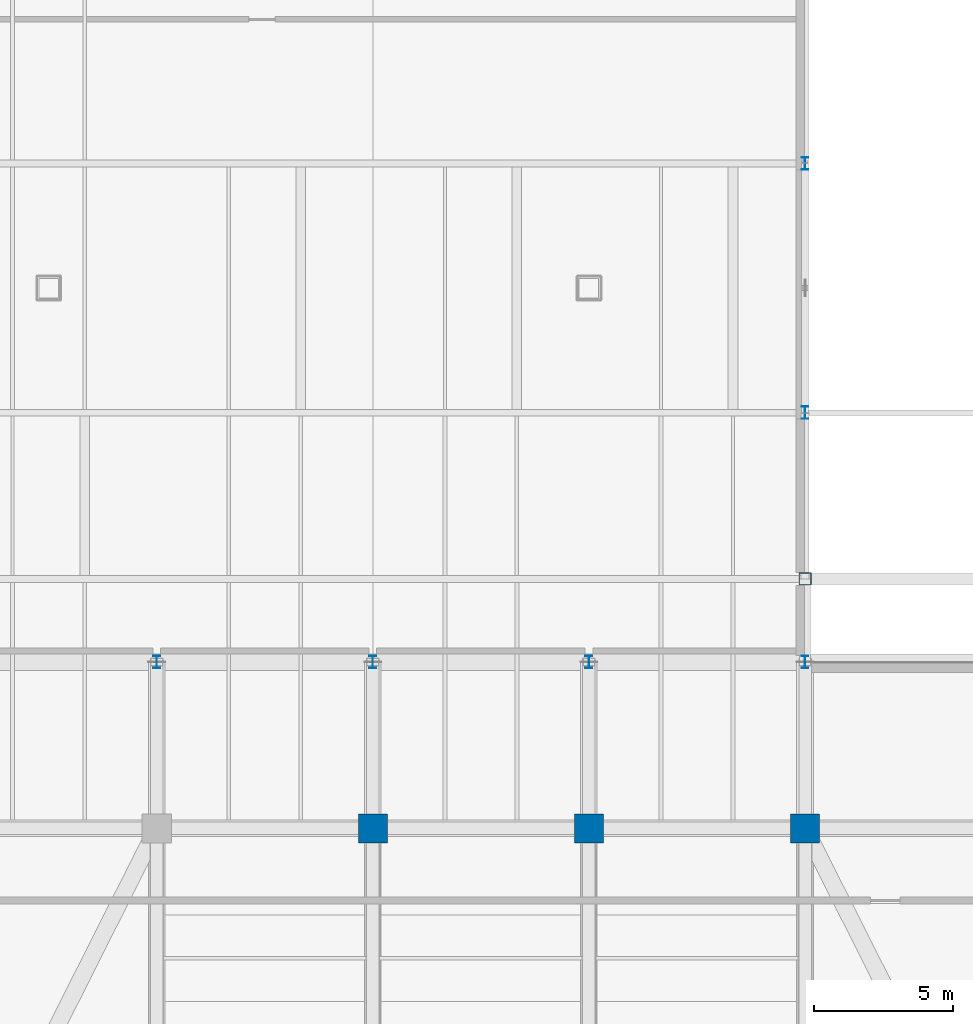
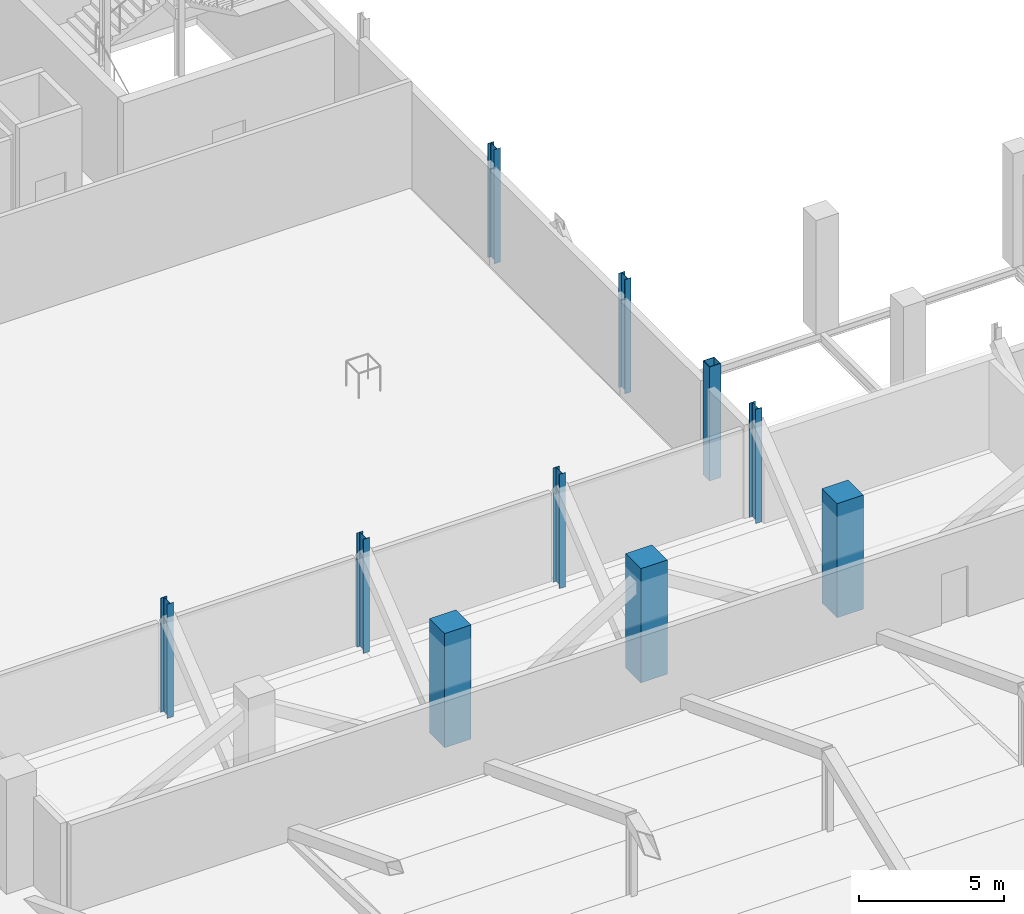
# One storey, part 7 of 127: 10 columns.
"""IFC4 building model written with IfcOpenShell, lengths in metres."""

import ifcopenshell
import ifcopenshell.guid

model = None  # the IFC model being written
_history = None  # IfcOwnerHistory: only IFC2X3 demands one
_inside = {}  # id of a spatial element -> (the spatial element, [elements in it])
_under = {}  # id of a project, library or spatial element -> (it, [spatial elements below it])
_declared = {}  # id of a project -> (the project, [libraries it declares])
_typed = {}  # id of a type object -> (the type object, [elements of that type])
_made_of = {}  # id of a material, layer set ... -> (it, [elements and type objects made of it])


def new_model(schema):
    """Start an empty IFC model of exactly this schema.

    Asked for "IFC4X3", IfcOpenShell would pick the latest addendum, in which some entities
    have other attributes; the version numbers below select the first issue.
    IFC2X3 requires an IfcOwnerHistory on every rooted entity: one is made here for all.
    """
    global model, _history
    if schema == "IFC4X3":
        model = ifcopenshell.file(schema_version=(4, 3, 0, 0))
    else:
        model = ifcopenshell.file(schema=schema)
    _inside.clear()
    _under.clear()
    _declared.clear()
    _typed.clear()
    _made_of.clear()
    _history = None
    if model.schema == "IFC2X3":
        org = make("IfcOrganization", Name="unknown")
        user = make(
            "IfcPersonAndOrganization",
            ThePerson=make("IfcPerson", FamilyName="unknown"),
            TheOrganization=org,
        )
        app = make(
            "IfcApplication",
            ApplicationDeveloper=org,
            Version="unknown",
            ApplicationFullName="unknown",
            ApplicationIdentifier="unknown",
        )
        _history = make(
            "IfcOwnerHistory",
            OwningUser=user,
            OwningApplication=app,
            ChangeAction="ADDED",
            CreationDate=0,
        )
    return model


def make(cls, **values):
    """One entity of the class cls with the attributes given. An attribute that is None is left unset."""
    return model.create_entity(
        cls, **{name: value for name, value in values.items() if value is not None}
    )


def rooted(cls, **values):
    """An entity with a GlobalId (a new one), such as an element, a storey or a relation."""
    return make(cls, GlobalId=ifcopenshell.guid.new(), OwnerHistory=_history, **values)


def si_unit(unit_type, name, prefix=None):
    """IfcSIUnit, for example si_unit("LENGTHUNIT", "METRE", prefix="MILLI")."""
    return make("IfcSIUnit", UnitType=unit_type, Prefix=prefix, Name=name)


def derived_unit(unit_type, elements):
    """IfcDerivedUnit: a product of units, each with its exponent."""
    return make(
        "IfcDerivedUnit",
        Elements=[
            make("IfcDerivedUnitElement", Unit=unit, Exponent=power)
            for unit, power in elements
        ],
        UnitType=unit_type,
    )


def assignment(units):
    """IfcUnitAssignment: the units of a project."""
    return None if units is None else make("IfcUnitAssignment", Units=units)


def point(xyz):
    """IfcCartesianPoint."""
    return None if xyz is None else make("IfcCartesianPoint", Coordinates=xyz)


def direction(xyz):
    """IfcDirection."""
    return None if xyz is None else make("IfcDirection", DirectionRatios=xyz)


def frame(location, z_axis=None, x_axis=None):
    """IfcAxis2Placement3D, a coordinate frame: its origin and axes. An axis left out is left unset."""
    return make(
        "IfcAxis2Placement3D",
        Location=point(location),
        Axis=direction(z_axis),
        RefDirection=direction(x_axis),
    )


def frame_2d(location, x_axis=None):
    """IfcAxis2Placement2D, a coordinate frame in the plane: its origin and x axis."""
    return make(
        "IfcAxis2Placement2D", Location=point(location), RefDirection=direction(x_axis)
    )


def origin():
    """The frame at (0, 0, 0) with its axes left unset."""
    return frame((0.0, 0.0, 0.0))


def origin_2d():
    """The frame at (0, 0) in the plane with its x axis left unset."""
    return frame_2d((0.0, 0.0))


def place(relative_to, where):
    """IfcLocalPlacement: puts the frame where relative to a parent placement (None: the world)."""
    return make(
        "IfcLocalPlacement", PlacementRelTo=relative_to, RelativePlacement=where
    )


def context(
    kind, dimensions, precision=None, world=None, true_north=None, identifier=None
):
    """IfcGeometricRepresentationContext, for example the 3D "Model" context."""
    return make(
        "IfcGeometricRepresentationContext",
        ContextIdentifier=identifier,
        ContextType=kind,
        CoordinateSpaceDimension=dimensions,
        Precision=precision,
        WorldCoordinateSystem=world,
        TrueNorth=true_north,
    )


def subcontext(parent, identifier, kind, view, scale=None):
    """IfcGeometricRepresentationSubContext, for example "Body" below "Model"."""
    return make(
        "IfcGeometricRepresentationSubContext",
        ContextIdentifier=identifier,
        ContextType=kind,
        ParentContext=parent,
        TargetScale=scale,
        TargetView=view,
    )


def project(units=None, contexts=None):
    """IfcProject with its units and contexts."""
    return rooted(
        "IfcProject",
        Name="project",
        RepresentationContexts=contexts,
        UnitsInContext=assignment(units),
    )


def spatial(cls, under=None, at=None, **own):
    """A site, building, storey or space (cls), placed at a placement, below another one or the project."""
    s = rooted(cls, ObjectPlacement=at, **own)
    if under is not None:
        _under.setdefault(under.id(), (under, []))[1].append(s)
    return s


def profile(cls, at=None, kind="AREA", **sizes):
    """A parametric profile (cls). Its sizes go by their IFC names, for example OverallWidth=200.0."""
    return make(cls, ProfileType=kind, Position=at, **sizes)


def rectangle(**sizes):
    """IfcRectangleProfileDef."""
    return profile("IfcRectangleProfileDef", **sizes)


def hollow_rectangle(**sizes):
    """IfcRectangleHollowProfileDef."""
    return profile("IfcRectangleHollowProfileDef", **sizes)


def i_section(**sizes):
    """IfcIShapeProfileDef."""
    return profile("IfcIShapeProfileDef", **sizes)


def extrude(swept, where, along, depth):
    """IfcExtrudedAreaSolid: the profile swept, set in the frame where, extruded along a direction by depth."""
    return make(
        "IfcExtrudedAreaSolid",
        SweptArea=swept,
        Position=where,
        ExtrudedDirection=direction(along),
        Depth=depth,
    )


def shape(context_of_items, identifier, shape_type, items):
    """IfcShapeRepresentation: the items that make up one representation, for example the "Body"."""
    return make(
        "IfcShapeRepresentation",
        ContextOfItems=context_of_items,
        RepresentationIdentifier=identifier,
        RepresentationType=shape_type,
        Items=items,
    )


def material(Name=None, Category=None):
    """IfcMaterial."""
    return make("IfcMaterial", Name=Name, Category=Category)


def material_profile(
    of_material, cross_section, Name=None, Category=None, Priority=None
):
    """IfcMaterialProfile: a cross section and its material."""
    return make(
        "IfcMaterialProfile",
        Name=Name,
        Material=of_material,
        Profile=cross_section,
        Priority=Priority,
        Category=Category,
    )


def profile_set(profiles, Name=None, composite=None):
    """IfcMaterialProfileSet."""
    return make(
        "IfcMaterialProfileSet",
        Name=Name,
        MaterialProfiles=profiles,
        CompositeProfile=composite,
    )


def made_of(thing, what):
    """Note that an element or type object is made of a material, layer set ...; save() writes the relation."""
    if what is not None:
        _made_of.setdefault(what.id(), (what, []))[1].append(thing)
    return thing


def type_object(cls, material=None, **own):
    """A type object (cls), such as IfcWallType, which elements share."""
    return made_of(rooted(cls, **own), material)


def element(
    cls,
    number,
    at=None,
    inside=None,
    cuts=None,
    type_object=None,
    material=None,
    context=None,
    identifier="Body",
    shape_type=None,
    held_by="IfcProductDefinitionShape",
    body=None,
    shapes=None,
    **own,
):
    """One element of the class cls, such as IfcWall. Its Tag is "e" and its number.

    at: its placement. inside: the storey or other place that contains it. cuts: it is an
    opening in that element (IfcRelVoidsElement). A single representation is given by context,
    identifier, shape_type and body (its items); several are given by shapes. held_by: the class
    of the entity that holds the representations. save() writes the other relations.
    """
    e = rooted(cls, Tag="e%d" % number, ObjectPlacement=at, **own)
    if body is not None:
        shapes = [shape(context, identifier, shape_type, body)]
    if shapes is not None:
        e.Representation = make(held_by, Representations=shapes)
    if inside is not None:
        _inside.setdefault(inside.id(), (inside, []))[1].append(e)
    if cuts is not None:
        rooted(
            "IfcRelVoidsElement", RelatingBuildingElement=cuts, RelatedOpeningElement=e
        )
    if type_object is not None:
        _typed.setdefault(type_object.id(), (type_object, []))[1].append(e)
    return made_of(e, material)


def aggregate(whole, parts):
    """IfcRelAggregates: a whole, such as a stair, and the parts it consists of."""
    return rooted("IfcRelAggregates", RelatingObject=whole, RelatedObjects=parts)


def save(model, path):
    """Write the relations noted so far, then the file.

    IfcRelAggregates (storeys below a building ...), IfcRelContainedInSpatialStructure (elements
    in a storey), IfcRelDefinesByType, IfcRelAssociatesMaterial and IfcRelDeclares: one each for
    every whole, place, type object, material and project.
    """
    for whole, parts in _under.values():
        aggregate(whole, parts)
    for where, things in _inside.values():
        rooted(
            "IfcRelContainedInSpatialStructure",
            RelatedElements=things,
            RelatingStructure=where,
        )
    for kind, things in _typed.values():
        rooted("IfcRelDefinesByType", RelatedObjects=things, RelatingType=kind)
    for what, things in _made_of.values():
        rooted("IfcRelAssociatesMaterial", RelatedObjects=things, RelatingMaterial=what)
    for by, libraries in _declared.values():
        rooted("IfcRelDeclares", RelatingContext=by, RelatedDefinitions=libraries)
    model.write(path)


model = new_model("IFC4")

# Units and contexts
model_context = context("Model", 3, precision=1e-05, world=origin(), true_north=direction((0.0, 1.0)))
body_context = subcontext(model_context, "Body", "Model", "MODEL_VIEW")
ifc_project = project(units=[si_unit("LENGTHUNIT", "METRE"), si_unit("AREAUNIT", "SQUARE_METRE"), si_unit("VOLUMEUNIT", "CUBIC_METRE"), si_unit("PLANEANGLEUNIT", "RADIAN"), si_unit("MASSUNIT", "GRAM", prefix="KILO"), derived_unit("THERMALTRANSMITTANCEUNIT", [(si_unit("POWERUNIT", "WATT"), 1), (si_unit("LENGTHUNIT", "METRE"), -2), (si_unit("THERMODYNAMICTEMPERATUREUNIT", "KELVIN"), -1)])], contexts=[model_context])

# Site, building, storey
site_placement = place(None, origin())
site = spatial("IfcSite", under=ifc_project, at=site_placement, CompositionType="ELEMENT")
building_placement = place(site_placement, origin())
building = spatial("IfcBuilding", under=site, at=building_placement, Name="Nallur Shell Playhouse", CompositionType="ELEMENT")
storey_placement = place(building_placement, frame((0.0, 0.0, 5.39990234375)))
storey = spatial("IfcBuildingStorey", under=building, at=storey_placement, Name="L02", CompositionType="ELEMENT", Elevation=5.39990234375)

# Columns
ifc_material_1 = material(Name="Concrete M45", Category="concrete")
ifc_material_profile_1 = material_profile(ifc_material_1, rectangle(XDim=1.050048828125, YDim=1.050048828125, at=origin_2d()), Name="RC 1050x1050")
ifc_profile_set_1 = profile_set([ifc_material_profile_1], Name="Concrete M45")
column_type_1 = type_object("IfcColumnType", Name="CL-RC-1050", PredefinedType="COLUMN", material=ifc_profile_set_1)
for number, where, z_axis, x_axis, name in (
    (1, (87.39990234375, 41.0, 0.0), (0.0, 0.0, 1.0), (1.0, 0.0, 0.0), "Column MC3N (L02)"),
    (2, (95.199951171875, 41.0, 0.0), (0.0, 0.0, 1.0), (1.0, 0.0, 0.0), "Column MC4N (L02)"),
    (3, (103.0, 41.0, 0.0), (0.0, 0.0, 1.0), (1.0, 0.0, 0.0), "Column MC5N (L02)"),
):
    element("IfcColumn", number, at=place(storey_placement, frame(where, z_axis=z_axis, x_axis=x_axis)), inside=storey, type_object=column_type_1, Name=name, PredefinedType="COLUMN", context=body_context, shape_type="SweptSolid", body=[
        extrude(rectangle(XDim=1.050048828125, YDim=1.050048828125, at=origin_2d()), origin(), (0.0, 0.0, 1.0), 4.800048828125),
    ])
ifc_material_2 = material(Name="Steel E350", Category="steel")
ifc_material_profile_2 = material_profile(ifc_material_2, hollow_rectangle(XDim=0.449951171875, YDim=0.449951171875, WallThickness=0.02001953125, at=origin_2d()), Name="BOX 450x450x20")
ifc_profile_set_2 = profile_set([ifc_material_profile_2], Name="Steel E350")
column_type_2 = type_object("IfcColumnType", Name="CL-ST-BOX450", PredefinedType="COLUMN", material=ifc_profile_set_2)
column_placement = place(storey_placement, frame((103.0, 50.0, 0.0), z_axis=(0.0, 0.0, 1.0), x_axis=(1.0, 0.0, 0.0)))
element("IfcColumn", 4, at=column_placement, inside=storey, type_object=column_type_2, Name="Column 13-F (L02)", PredefinedType="COLUMN", context=body_context, shape_type="SweptSolid", body=[
    extrude(hollow_rectangle(XDim=0.449951171875, YDim=0.449951171875, WallThickness=0.02001953125, at=origin_2d()), origin(), (0.0, 0.0, 1.0), 4.800048828125),
])
ifc_material_profile_3 = material_profile(ifc_material_2, i_section(OverallWidth=0.25, OverallDepth=0.449951171875, WebThickness=0.01123046875, FlangeThickness=0.013671875, FilletRadius=0.014892578125, at=origin_2d()), Name="ISHB 450")
ifc_profile_set_3 = profile_set([ifc_material_profile_3], Name="Steel E350")
column_type_3 = type_object("IfcColumnType", Name="CL-ST-ISHB450", PredefinedType="COLUMN", material=ifc_profile_set_3)
for number, where, z_axis, x_axis, name in (
    (5, (103.0, 56.0, 0.0), (0.0, 0.0, 1.0), (1.0, 0.0, 0.0), "Column 13-G (L02)"),
    (6, (103.0, 65.0, 0.0), (0.0, 0.0, 1.0), (1.0, 0.0, 0.0), "Column 13-H (L02)"),
    (7, (79.60009765625, 47.0, 0.0), (0.0, 0.0, 1.0), (1.0, 0.0, 0.0), "Column PROSC-3 (L02)"),
    (8, (87.39990234375, 47.0, 0.0), (0.0, 0.0, 1.0), (1.0, 0.0, 0.0), "Column PROSC-4 (L02)"),
    (9, (95.199951171875, 47.0, 0.0), (0.0, 0.0, 1.0), (1.0, 0.0, 0.0), "Column PROSC-5 (L02)"),
    (10, (103.0, 47.0, 0.0), (0.0, 0.0, 1.0), (1.0, 0.0, 0.0), "Column PROSC-6 (L02)"),
):
    element("IfcColumn", number, at=place(storey_placement, frame(where, z_axis=z_axis, x_axis=x_axis)), inside=storey, type_object=column_type_3, Name=name, PredefinedType="COLUMN", context=body_context, shape_type="SweptSolid", body=[
        extrude(i_section(OverallWidth=0.25, OverallDepth=0.449951171875, WebThickness=0.01123046875, FlangeThickness=0.013671875, FilletRadius=0.014892578125, at=origin_2d()), origin(), (0.0, 0.0, 1.0), 4.800048828125),
    ])

save(model, "model.ifc")
